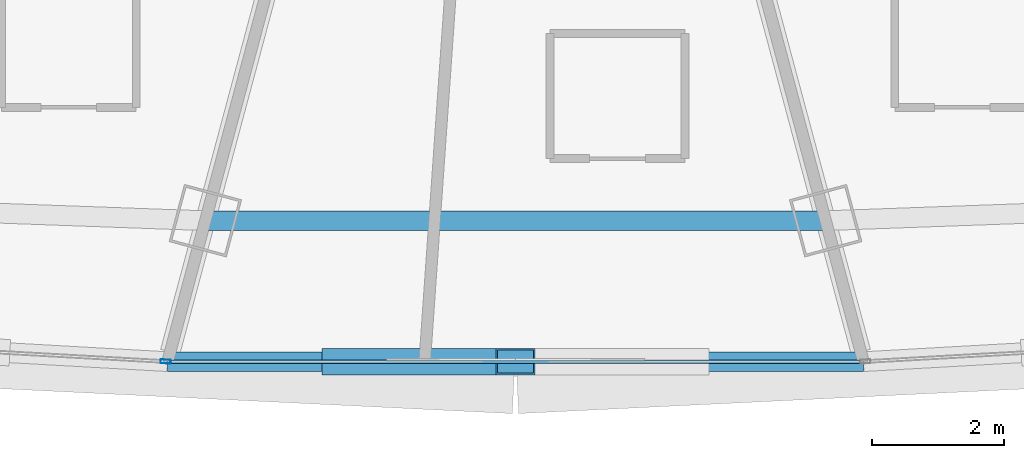
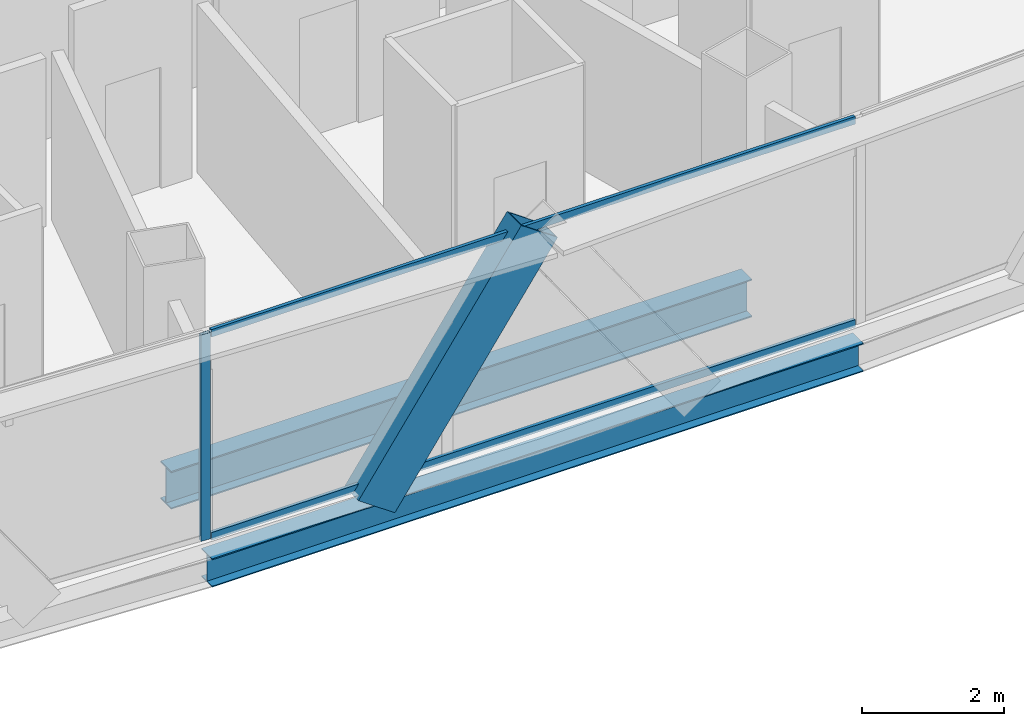
# One storey, part 10 of 40: 4 members, 2 beams, 2 elements without a shape of their own.
"""IFC4 building model written with IfcOpenShell, lengths in metres."""

from ifc_helpers import new_model, si_unit, direction, frame, origin, origin_2d, place, context, subcontext, project, spatial, hollow_rectangle, i_section, extrude, source, transform, mapped, material, layer, layer_set, material_profile, profile_set, type_object, element, aggregate, save


model = new_model("IFC4")

# Units and contexts
model_context = context("Model", 3, precision=1e-05, world=origin(), true_north=direction((0.0, 1.0)))
body_context = subcontext(model_context, "Body", "Model", "MODEL_VIEW")
ifc_project = project(units=[si_unit("LENGTHUNIT", "METRE"), si_unit("AREAUNIT", "SQUARE_METRE"), si_unit("VOLUMEUNIT", "CUBIC_METRE"), si_unit("PLANEANGLEUNIT", "RADIAN"), si_unit("MASSUNIT", "GRAM", prefix="KILO"), si_unit("THERMODYNAMICTEMPERATUREUNIT", "KELVIN"), si_unit("POWERUNIT", "WATT")], contexts=[model_context])

# Site, building, storey
site_placement = place(None, origin())
site = spatial("IfcSite", under=ifc_project, at=site_placement, CompositionType="ELEMENT")
building_placement = place(site_placement, origin())
building = spatial("IfcBuilding", under=site, at=building_placement, Name="Yunzhuo Pagoda Commons", CompositionType="ELEMENT")
storey_placement = place(building_placement, frame((0.0, 0.0, 180.9599609375)))
storey = spatial("IfcBuildingStorey", under=building, at=storey_placement, Name="L45", CompositionType="ELEMENT", Elevation=180.9599609375)

# Beams
ifc_material_1 = material(Name="Structural steel Q355B", Category="steel")
ifc_material_profile_1 = material_profile(ifc_material_1, i_section(OverallWidth=0.300048828125, OverallDepth=0.488037109375, WebThickness=0.010986328125, FlangeThickness=0.01806640625, at=origin_2d()), Name="Structural steel Q355B")
ifc_profile_set_1 = profile_set([ifc_material_profile_1], Name="Structural steel Q355B")
beam_type_1 = type_object("IfcBeamType", Name="B-SP1 Beam HM 488x300x11x18", PredefinedType="BEAM", material=ifc_profile_set_1)
shared_shape_1 = source(origin(), body_context, "Body", "SweptSolid", [
    extrude(i_section(OverallWidth=0.300048828125, OverallDepth=0.488037109375, WebThickness=0.010986328125, FlangeThickness=0.01806640625, at=origin_2d()), origin(), (0.0, 0.0, 1.0), 10.5732421875),
])
beam_1_placement = place(storey_placement, frame((42.71337890625, 13.970458984375, -0.50390625), z_axis=(1.0, 0.0, 0.0), x_axis=(0.0, 1.0, 0.0)))
element("IfcBeam", 1, at=beam_1_placement, inside=storey, type_object=beam_type_1, Name="L45 facade edge spandrel beam F1.2", PredefinedType="BEAM", context=body_context, shape_type="MappedRepresentation", body=[
    mapped(shared_shape_1, transform((0.0, 0.0, 0.0), scale=1.0)),
])
ifc_material_profile_2 = material_profile(ifc_material_1, i_section(OverallWidth=0.300048828125, OverallDepth=0.64990234375, WebThickness=0.012939453125, FlangeThickness=0.02197265625, at=origin_2d()), Name="Structural steel Q355B")
ifc_profile_set_2 = profile_set([ifc_material_profile_2], Name="Structural steel Q355B")
beam_type_2 = type_object("IfcBeamType", Name="B-RG2 Beam HN 650x300x13x22", PredefinedType="BEAM", material=ifc_profile_set_2)
shared_shape_2 = source(origin(), body_context, "Body", "SweptSolid", [
    extrude(i_section(OverallWidth=0.300048828125, OverallDepth=0.64990234375, WebThickness=0.012939453125, FlangeThickness=0.02197265625, at=origin_2d()), origin(), (0.0, 0.0, 1.0), 9.42529296875),
])
beam_2_placement = place(storey_placement, frame((43.28759765625, 16.1123046875, -0.5849609375), z_axis=(1.0, 0.0, 0.0), x_axis=(0.0, 1.0, 0.0)))
element("IfcBeam", 2, at=beam_2_placement, inside=storey, type_object=beam_type_2, Name="L45 column-ring beam 2", PredefinedType="BEAM", context=body_context, shape_type="MappedRepresentation", body=[
    mapped(shared_shape_2, transform((0.0, 0.0, 0.0), scale=1.0)),
])

# Member
ifc_material_profile_3 = material_profile(ifc_material_1, hollow_rectangle(XDim=0.39990234375, YDim=0.719970703125, WallThickness=0.02392578125, at=origin_2d()), Name="Structural steel Q355B")
ifc_profile_set_3 = profile_set([ifc_material_profile_3], Name="Structural steel Q355B")
member_type_1 = type_object("IfcMemberType", Name="M-DL2 Brace BOX 720x400x24", PredefinedType="BRACE", material=ifc_profile_set_3)
shared_shape_3 = source(origin(), body_context, "Body", "SweptSolid", [
    extrude(hollow_rectangle(XDim=0.39990234375, YDim=0.719970703125, WallThickness=0.02392578125, at=origin_2d()), origin(), (0.0, 0.0, 1.0), 4.62890625),
])
member_1_placement = place(storey_placement, frame((45.35693359375, 13.970458984375, -0.260009765625), z_axis=(0.57099958185, 0.0, 0.820950350221), x_axis=(0.0, 1.0, 0.0)))
element("IfcMember", 3, at=member_1_placement, inside=storey, type_object=member_type_1, Name="L45 facade diamond brace F1.2L", PredefinedType="BRACE", context=body_context, shape_type="MappedRepresentation", body=[
    mapped(shared_shape_3, transform((0.0, 0.0, 0.0), scale=1.0)),
])

# Curtain wall, member
ifc_material_2 = material(Name="Anodized aluminium 6063-T6", Category="aluminium")
ifc_layer = layer(ifc_material_2, 0.14990234375)
ifc_layer_set = layer_set([ifc_layer], Name="Anodized aluminium 6063-T6")
curtain_wall_type = type_object("IfcCurtainWallType", Name="CW-MID Mid-Zone Ribbon Curtain Wall", PredefinedType="NOTDEFINED", material=ifc_layer_set)
curtain_wall_1_placement = place(storey_placement, origin())
curtain_wall_1 = element("IfcCurtainWall", 4, at=curtain_wall_1_placement, inside=storey, type_object=curtain_wall_type, Name="L45 curtain wall CW-L45-F1B2", PredefinedType="NOTDEFINED")
ifc_material_profile_4 = material_profile(ifc_material_2, hollow_rectangle(XDim=0.06005859375, YDim=0.14990234375, WallThickness=0.00390625, at=origin_2d()), Name="Anodized aluminium 6063-T6")
ifc_profile_set_4 = profile_set([ifc_material_profile_4], Name="Anodized aluminium 6063-T6")
member_type_2 = type_object("IfcMemberType", Name="CW-MID-M Mullion RHS 150x60x4", PredefinedType="MULLION", material=ifc_profile_set_4)
shared_shape_4 = source(origin(), body_context, "Body", "SweptSolid", [
    extrude(hollow_rectangle(XDim=0.06005859375, YDim=0.14990234375, WallThickness=0.00390625, at=origin_2d()), origin(), (0.0, 0.0, 1.0), 3.5400390625),
])
member_2_placement = place(storey_placement, frame((42.68359375, 13.97216796875, 0.0), z_axis=(0.0, 0.0, 1.0), x_axis=(0.056142665584, 0.998422756702, 0.0)))
member_2 = element("IfcMember", 5, at=member_2_placement, type_object=member_type_2, Name="CW mullion 2", PredefinedType="MULLION", context=body_context, shape_type="MappedRepresentation", body=[
    mapped(shared_shape_4, transform((0.0, 0.0, 0.0), scale=1.0)),
])
aggregate(curtain_wall_1, [member_2])

# Curtain wall, members
curtain_wall_2_placement = place(storey_placement, origin())
curtain_wall_2 = element("IfcCurtainWall", 6, at=curtain_wall_2_placement, inside=storey, type_object=curtain_wall_type, Name="L45 curtain wall CW-L45-F1B3", PredefinedType="NOTDEFINED")
ifc_material_profile_5 = material_profile(ifc_material_2, hollow_rectangle(XDim=0.054931640625, YDim=0.1298828125, WallThickness=0.00341796875, at=origin_2d()), Name="Anodized aluminium 6063-T6")
ifc_profile_set_5 = profile_set([ifc_material_profile_5], Name="Anodized aluminium 6063-T6")
member_type_3 = type_object("IfcMemberType", Name="CW-MID-T Transom RHS 130x55x3.5", PredefinedType="USERDEFINED", material=ifc_profile_set_5)
shared_shape_5 = source(origin(), body_context, "Body", "SweptSolid", [
    extrude(hollow_rectangle(XDim=0.054931640625, YDim=0.1298828125, WallThickness=0.00341796875, at=origin_2d()), origin(), (0.0, 0.0, 1.0), 10.453125),
])
member_3_placement = place(storey_placement, frame((42.773681640625, 13.970458984375, 0.027587890625), z_axis=(1.0, 0.0, 0.0), x_axis=(0.0, 1.0, 0.0)))
member_3 = element("IfcMember", 7, at=member_3_placement, type_object=member_type_3, Name="CW transom 1.1", ObjectType="TRANSOM", PredefinedType="USERDEFINED", context=body_context, shape_type="MappedRepresentation", body=[
    mapped(shared_shape_5, transform((0.0, 0.0, 0.0), scale=1.0)),
])
member_4_placement = place(storey_placement, frame((42.773681640625, 13.970458984375, 3.512451171875), z_axis=(1.0, 0.0, 0.0), x_axis=(0.0, 1.0, 0.0)))
member_4 = element("IfcMember", 8, at=member_4_placement, type_object=member_type_3, Name="CW transom 1.2", ObjectType="TRANSOM", PredefinedType="USERDEFINED", context=body_context, shape_type="MappedRepresentation", body=[
    mapped(shared_shape_5, transform((0.0, 0.0, 0.0), scale=1.0)),
])
aggregate(curtain_wall_2, [member_3, member_4])

save(model, "model.ifc")
